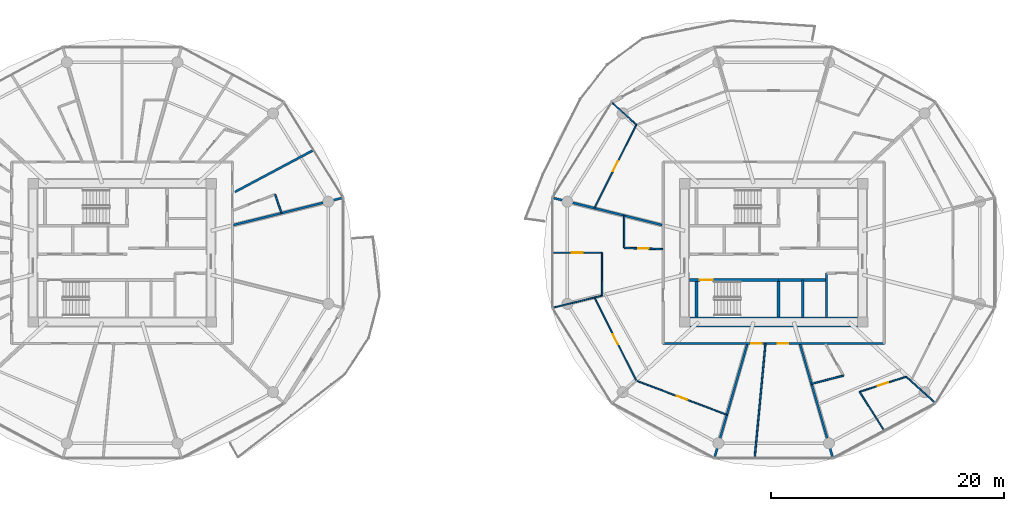
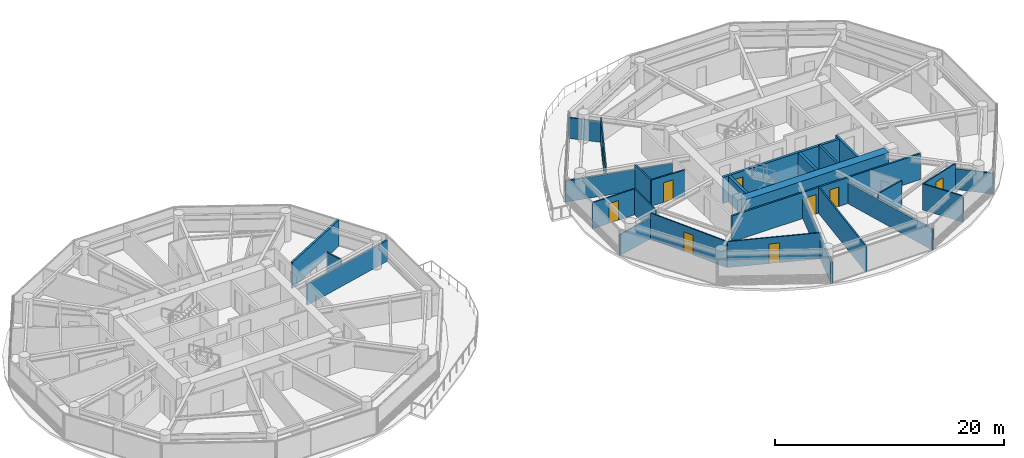
# One storey, part 18 of 26: 28 walls, 9 doors, 9 openings.
"""IFC4 building model written with IfcOpenShell, lengths in metres."""

from ifc_helpers import new_model, si_unit, direction, frame, frame_2d, origin, place, context, subcontext, project, spatial, rectangle, extrude, source, transform, mapped, material, layer, layer_set, type_object, type_shapes, element, fill, save


model = new_model("IFC4")

# Units and contexts
model_context = context("Model", 3, precision=1e-05, world=origin(), true_north=direction((0.0, 1.0)))
body_context = subcontext(model_context, "Body", "Model", "MODEL_VIEW")
ifc_project = project(units=[si_unit("LENGTHUNIT", "METRE"), si_unit("AREAUNIT", "SQUARE_METRE"), si_unit("VOLUMEUNIT", "CUBIC_METRE"), si_unit("PLANEANGLEUNIT", "RADIAN"), si_unit("MASSUNIT", "GRAM", prefix="KILO")], contexts=[model_context])

# Site, building, storey
site_placement = place(None, origin())
site = spatial("IfcSite", under=ifc_project, at=site_placement, CompositionType="ELEMENT")
building_placement = place(site_placement, origin())
building = spatial("IfcBuilding", under=site, at=building_placement, Name="Norrkilde Senior Care Towers", CompositionType="ELEMENT")
storey_placement = place(building_placement, frame((0.0, 0.0, 64.300048828125)))
storey = spatial("IfcBuildingStorey", under=building, at=storey_placement, Name="L19", CompositionType="ELEMENT", Elevation=64.300048828125)

# Walls
ifc_material_1 = material(Name="Concrete C60/75", Category="concrete")
ifc_layer_1 = layer(ifc_material_1, 0.85009765625)
ifc_layer_set_1 = layer_set([ifc_layer_1], Name="Concrete C60/75")
wall_type_1 = type_object("IfcWallType", Name="Core Shear Wall Z1 850", PredefinedType="SHEAR", material=ifc_layer_set_1)
shared_shape_1 = source(origin(), body_context, "Body", "SweptSolid", [
    extrude(rectangle(XDim=14.39990234375, YDim=0.85009765625, at=frame_2d((7.199951171875, 0.0))), origin(), (0.0, 0.0, 1.0), 2.7900390625),
])
type_shapes(wall_type_1, [shared_shape_1])
wall_1_placement = place(storey_placement, frame((35.199951171875, -5.949951171875, 0.0), z_axis=(0.0, 0.0, 1.0), x_axis=(-1.0, 0.0, 0.0)))
element("IfcWall", 1, at=wall_1_placement, inside=storey, type_object=wall_type_1, Name="L19 Core E South Shear Wall", PredefinedType="SHEAR", context=body_context, shape_type="MappedRepresentation", body=[
    mapped(shared_shape_1, transform((0.0, 0.0, 0.0), x_axis=(1.0, 0.0, 0.0), y_axis=(0.0, 1.0, 0.0), z_axis=(0.0, 0.0, 1.0), scale=1.0)),
])
ifc_material_2 = material(Name="Concrete C45/55", Category="concrete")
ifc_layer_2 = layer(ifc_material_2, 0.199951171875)
ifc_layer_set_2 = layer_set([ifc_layer_2], Name="Concrete C45/55")
wall_type_2 = type_object("IfcWallType", Name="Shaft Division and Plant Partition 200", PredefinedType="PARTITIONING", material=ifc_layer_set_2)
shared_shape_2 = source(origin(), body_context, "Body", "SweptSolid", [
    extrude(rectangle(XDim=3.800048828125, YDim=0.199951171875, at=frame_2d((1.89990234375, 0.0))), origin(), (0.0, 0.0, 1.0), 2.77490234375),
])
type_shapes(wall_type_2, [shared_shape_2])
wall_2_placement = place(storey_placement, frame((32.550048828125, -5.550048828125, 0.0), z_axis=(0.0, 0.0, 1.0), x_axis=(0.0, 1.0, 0.0)))
element("IfcWall", 2, at=wall_2_placement, inside=storey, type_object=wall_type_2, Name="WL-INT-L19-E-PKBE", PredefinedType="PARTITIONING", context=body_context, shape_type="MappedRepresentation", body=[
    mapped(shared_shape_2, transform((0.0, 0.0, 0.0), x_axis=(1.0, 0.0, 0.0), y_axis=(0.0, 1.0, 0.0), z_axis=(0.0, 0.0, 1.0), scale=1.0)),
])
ifc_layer_3 = layer(ifc_material_2, 0.239990234375)
ifc_layer_set_3 = layer_set([ifc_layer_3], Name="Concrete C45/55")
wall_type_3 = type_object("IfcWallType", Name="Lift and Plant Rated Enclosure Partition 240", PredefinedType="PARTITIONING", material=ifc_layer_set_3)
shared_shape_3 = source(origin(), body_context, "Body", "SweptSolid", [
    extrude(rectangle(XDim=4.130126953125, YDim=0.239990234375, at=frame_2d((2.06494140625, 0.0))), origin(), (0.0, 0.0, 1.0), 2.77490234375),
])
type_shapes(wall_type_3, [shared_shape_3])
wall_3_placement = place(storey_placement, frame((28.419921875, -2.330078125, 0.0), z_axis=(0.0, 0.0, 1.0), x_axis=(1.0, 0.0, 0.0)))
element("IfcWall", 3, at=wall_3_placement, inside=storey, type_object=wall_type_3, Name="WL-INT-L19-E-PKBN", PredefinedType="PARTITIONING", context=body_context, shape_type="MappedRepresentation", body=[
    mapped(shared_shape_3, transform((0.0, 0.0, 0.0), x_axis=(1.0, 0.0, 0.0), y_axis=(0.0, 1.0, 0.0), z_axis=(0.0, 0.0, 1.0), scale=1.0)),
])
ifc_layer_4 = layer(ifc_material_2, 0.179931640625)
ifc_layer_set_4 = layer_set([ifc_layer_4], Name="Concrete C45/55")
wall_type_4 = type_object("IfcWallType", Name="Hoistway Division Rated Partition 180", PredefinedType="PARTITIONING", material=ifc_layer_set_4)
shared_shape_4 = source(origin(), body_context, "Body", "SweptSolid", [
    extrude(rectangle(XDim=3.219970703125, YDim=0.179931640625, at=frame_2d((1.60986328125, 0.0))), origin(), (0.0, 0.0, 1.0), 2.77490234375),
])
type_shapes(wall_type_4, [shared_shape_4])
wall_4_placement = place(storey_placement, frame((30.5, -5.550048828125, 0.0), z_axis=(0.0, 0.0, 1.0), x_axis=(0.0, 1.0, 0.0)))
element("IfcWall", 4, at=wall_4_placement, inside=storey, type_object=wall_type_4, Name="WL-INT-L19-E-PL34", PredefinedType="PARTITIONING", context=body_context, shape_type="MappedRepresentation", body=[
    mapped(shared_shape_4, transform((0.0, 0.0, 0.0), x_axis=(1.0, 0.0, 0.0), y_axis=(0.0, 1.0, 0.0), z_axis=(0.0, 0.0, 1.0), scale=1.0)),
])

# Wall, openings, doors
ifc_material_3 = material(Name="Gypsum Acoustic Board")
ifc_layer_5 = layer(ifc_material_3, 0.1650390625)
ifc_layer_set_5 = layer_set([ifc_layer_5], Name="Gypsum Acoustic Board")
wall_type_5 = type_object("IfcWallType", Name="Corridor Rated Partition 165", PredefinedType="PARTITIONING", material=ifc_layer_set_5)
shared_shape_5 = source(origin(), body_context, "Body", "SweptSolid", [
    extrude(rectangle(XDim=19.0, YDim=0.1650390625, at=frame_2d((9.5, 0.0))), origin(), (0.0, 0.0, 1.0), 2.77490234375),
])
type_shapes(wall_type_5, [shared_shape_5])
wall_5_placement = place(storey_placement, frame((37.5, -7.800048828125, 0.0), z_axis=(0.0, 0.0, 1.0), x_axis=(-1.0, 0.0, 0.0)))
wall_5 = element("IfcWall", 5, at=wall_5_placement, inside=storey, type_object=wall_type_5, Name="WL-INT-L19-E-CRW-S-0", PredefinedType="PARTITIONING", context=body_context, shape_type="MappedRepresentation", body=[
    mapped(shared_shape_5, transform((0.0, 0.0, 0.0), x_axis=(1.0, 0.0, 0.0), y_axis=(0.0, 1.0, 0.0), z_axis=(0.0, 0.0, 1.0), scale=1.0)),
])
opening_1_placement = place(wall_5_placement, frame((10.523193359375, 0.0, 0.0)))
opening_1 = element("IfcOpeningElement", 6, at=opening_1_placement, cuts=wall_5, Name="Opening D-08", PredefinedType="OPENING", context=body_context, shape_type="SweptSolid", body=[
    extrude(rectangle(XDim=0.919921875, YDim=2.10009765625, at=frame_2d((0.4599609375, 1.050048828125))), frame((0.0, 0.092529296875, 0.0), z_axis=(0.0, -1.0, 0.0), x_axis=(1.0, 0.0, 0.0)), (0.0, 0.0, 1.0), 0.18505859375),
])
opening_2_placement = place(wall_5_placement, frame((8.2255859375, 0.0, 0.0)))
opening_2 = element("IfcOpeningElement", 7, at=opening_2_placement, cuts=wall_5, Name="Opening D-08", PredefinedType="OPENING", context=body_context, shape_type="SweptSolid", body=[
    extrude(rectangle(XDim=0.919921875, YDim=2.10009765625, at=frame_2d((0.4599609375, 1.050048828125))), frame((0.0, 0.092529296875, 0.0), z_axis=(0.0, -1.0, 0.0), x_axis=(1.0, 0.0, 0.0)), (0.0, 0.0, 1.0), 0.18505859375),
])
ifc_material_4 = material(Name="Nordic Ash Timber", Category="wood")
door_type_1 = type_object("IfcDoorType", Name="Accessible Wet Room Door 920x2100", OperationType="NOTDEFINED", PredefinedType="DOOR", material=ifc_material_4)
shared_shape_6 = source(origin(), body_context, "Body", "SweptSolid", [
    extrude(rectangle(XDim=0.919921875, YDim=2.10009765625, at=frame_2d((0.4599609375, 1.050048828125))), frame((0.0, 0.02490234375, 0.0), z_axis=(0.0, -1.0, 0.0), x_axis=(1.0, 0.0, 0.0)), (0.0, 0.0, 1.0), 0.050048828125),
])
type_shapes(door_type_1, [shared_shape_6])
door_1_placement = place(opening_1_placement, frame((0.919921875, 0.0, 0.0), z_axis=(0.0, 0.0, 1.0), x_axis=(-1.0, 0.0, 0.0)))
door_1 = element("IfcDoor", 8, at=door_1_placement, inside=storey, type_object=door_type_1, Name="L19 Accessible Restroom Door", OperationType="SINGLE_SWING_LEFT", OverallHeight=2.10009765625, OverallWidth=0.919921875, PredefinedType="DOOR", context=body_context, shape_type="MappedRepresentation", body=[
    mapped(shared_shape_6, transform((0.0, 0.0, 0.0), x_axis=(1.0, 0.0, 0.0), y_axis=(0.0, 1.0, 0.0), z_axis=(0.0, 0.0, 1.0), scale=1.0)),
])
fill(opening_1, door_1)
door_2_placement = place(opening_2_placement, frame((0.919921875, 0.0, 0.0), z_axis=(0.0, 0.0, 1.0), x_axis=(-1.0, 0.0, 0.0)))
door_2 = element("IfcDoor", 9, at=door_2_placement, inside=storey, type_object=door_type_1, Name="L19 Public Restroom Door", OperationType="SINGLE_SWING_RIGHT", OverallHeight=2.10009765625, OverallWidth=0.919921875, PredefinedType="DOOR", context=body_context, shape_type="MappedRepresentation", body=[
    mapped(shared_shape_6, transform((0.0, 0.0, 0.0), x_axis=(1.0, 0.0, 0.0), y_axis=(0.0, 1.0, 0.0), z_axis=(0.0, 0.0, 1.0), scale=1.0)),
])
fill(opening_2, door_2)

# Walls
ifc_layer_6 = layer(ifc_material_3, 0.18994140625)
ifc_layer_set_6 = layer_set([ifc_layer_6], Name="Gypsum Acoustic Board")
wall_type_6 = type_object("IfcWallType", Name="Unit Demising Acoustic Wall 190", PredefinedType="PARTITIONING", material=ifc_layer_set_6)
shared_shape_7 = source(origin(), body_context, "Body", "SweptSolid", [
    extrude(rectangle(XDim=10.196044921875, YDim=0.18994140625, at=frame_2d((5.09814453125, 0.0))), origin(), (0.0, 0.0, 1.0), 2.224853515625),
])
for number, where, z_axis, x_axis, name in (
    (10, (25.72705078125, -7.8798828125, 0.0), (0.0, 0.0, 1.0), (-0.277136420347, -0.960830580549, 0.0), "WL-INT-L19-E-DEM-08-0"),
    (11, (30.27294921875, -7.8798828125, 0.0), (0.0, 0.0, 1.0), (0.277136420347, -0.960830580549, 0.0), "WL-INT-L19-E-DEM-09-0"),
):
    element("IfcWall", number, at=place(storey_placement, frame(where, z_axis=z_axis, x_axis=x_axis)), inside=storey, type_object=wall_type_6, Name=name, PredefinedType="PARTITIONING", context=body_context, shape_type="MappedRepresentation", body=[
        mapped(shared_shape_7, transform((0.0, 0.0, 0.0), x_axis=(1.0, 0.0, 0.0), y_axis=(0.0, 1.0, 0.0), z_axis=(0.0, 0.0, 1.0), scale=1.0)),
    ])
shared_shape_8 = source(origin(), body_context, "Body", "SweptSolid", [
    extrude(rectangle(XDim=9.737060546875, YDim=0.18994140625, at=frame_2d((4.86865234375, 0.0))), origin(), (0.0, 0.0, 1.0), 2.224853515625),
])
for number, where, z_axis, x_axis, name in (
    (12, (-18.419921875, 2.384521484375, 0.0), (0.0, 0.0, 1.0), (0.970392716238, 0.241532557375, 0.0), "WL-INT-L19-W-DEM-00-0"),
    (13, (18.419921875, 2.384521484375, 0.0), (0.0, 0.0, 1.0), (-0.970392716238, 0.241532557375, 0.0), "WL-INT-L19-E-DEM-05-0"),
):
    element("IfcWall", number, at=place(storey_placement, frame(where, z_axis=z_axis, x_axis=x_axis)), inside=storey, type_object=wall_type_6, Name=name, PredefinedType="PARTITIONING", context=body_context, shape_type="MappedRepresentation", body=[
        mapped(shared_shape_8, transform((0.0, 0.0, 0.0), x_axis=(1.0, 0.0, 0.0), y_axis=(0.0, 1.0, 0.0), z_axis=(0.0, 0.0, 1.0), scale=1.0)),
    ])
shared_shape_9 = source(origin(), body_context, "Body", "SweptSolid", [
    extrude(rectangle(XDim=7.6767578125, YDim=0.18994140625, at=frame_2d((3.83837890625, 0.0))), origin(), (0.0, 0.0, 1.0), 2.77490234375),
])
type_shapes(wall_type_6, [shared_shape_7, shared_shape_8, shared_shape_9])
wall_6_placement = place(storey_placement, frame((-18.296875, 5.23095703125, 0.0), z_axis=(0.0, 0.0, 1.0), x_axis=(0.882725057546, 0.469889851753, 0.0)))
element("IfcWall", 14, at=wall_6_placement, inside=storey, type_object=wall_type_6, Name="WL-INT-L19-W-CMID-00", PredefinedType="PARTITIONING", context=body_context, shape_type="MappedRepresentation", body=[
    mapped(shared_shape_9, transform((0.0, 0.0, 0.0), x_axis=(1.0, 0.0, 0.0), y_axis=(0.0, 1.0, 0.0), z_axis=(0.0, 0.0, 1.0), scale=1.0)),
])
ifc_layer_7 = layer(ifc_material_3, 0.139892578125)
ifc_layer_set_7 = layer_set([ifc_layer_7], Name="Gypsum Acoustic Board")
wall_type_7 = type_object("IfcWallType", Name="En-suite Wet Room Wall 140", PredefinedType="PARTITIONING", material=ifc_layer_set_7)
shared_shape_10 = source(origin(), body_context, "Body", "SweptSolid", [
    extrude(rectangle(XDim=1.67578125, YDim=0.139892578125, at=frame_2d((0.837890625, 0.0))), origin(), (0.0, 0.0, 1.0), 2.77490234375),
])
wall_7_placement = place(storey_placement, frame((-14.849853515625, 5.010986328125, 0.0), z_axis=(0.0, 0.0, 1.0), x_axis=(0.327785970556, -0.944752008469, 0.0)))
element("IfcWall", 15, at=wall_7_placement, inside=storey, type_object=wall_type_7, Name="WL-INT-L19-W-EF-00A", PredefinedType="PARTITIONING", context=body_context, shape_type="MappedRepresentation", body=[
    mapped(shared_shape_10, transform((0.0, 0.0, 0.0), x_axis=(1.0, 0.0, 0.0), y_axis=(0.0, 1.0, 0.0), z_axis=(0.0, 0.0, 1.0), scale=1.0)),
])

# Wall, opening, door
ifc_layer_8 = layer(ifc_material_3, 0.114990234375)
ifc_layer_set_8 = layer_set([ifc_layer_8], Name="Gypsum Acoustic Board")
wall_type_8 = type_object("IfcWallType", Name="Internal Room Partition 115", PredefinedType="PARTITIONING", material=ifc_layer_set_8)
shared_shape_11 = source(origin(), body_context, "Body", "SweptSolid", [
    extrude(rectangle(XDim=8.017822265625, YDim=0.114990234375, at=frame_2d((4.0087890625, 0.0))), origin(), (0.0, 0.0, 1.0), 2.77490234375),
])
wall_8_placement = place(storey_placement, frame((12.595947265625, -3.854248046875, 0.0), z_axis=(0.0, 0.0, 1.0), x_axis=(0.450134355233, -0.89296084026, 0.0)))
wall_8 = element("IfcWall", 16, at=wall_8_placement, inside=storey, type_object=wall_type_8, Name="WL-INT-L19-E-UBC-05-1", PredefinedType="PARTITIONING", context=body_context, shape_type="MappedRepresentation", body=[
    mapped(shared_shape_11, transform((0.0, 0.0, 0.0), x_axis=(1.0, 0.0, 0.0), y_axis=(0.0, 1.0, 0.0), z_axis=(0.0, 0.0, 1.0), scale=1.0)),
])
opening_3_placement = place(wall_8_placement, frame((3.533935546875, 0.0, 0.0)))
opening_3 = element("IfcOpeningElement", 17, at=opening_3_placement, cuts=wall_8, Name="Opening D-07", PredefinedType="OPENING", context=body_context, shape_type="SweptSolid", body=[
    extrude(rectangle(XDim=0.949951171875, YDim=2.10009765625, at=frame_2d((0.47509765625, 1.050048828125))), frame((0.0, 0.0673828125, 0.0), z_axis=(0.0, -1.0, 0.0), x_axis=(1.0, 0.0, 0.0)), (0.0, 0.0, 1.0), 0.135009765625),
])
door_type_2 = type_object("IfcDoorType", Name="Internal Suite Bedroom Door 950x2100", OperationType="NOTDEFINED", PredefinedType="DOOR", material=ifc_material_4)
shared_shape_12 = source(origin(), body_context, "Body", "SweptSolid", [
    extrude(rectangle(XDim=0.949951171875, YDim=2.10009765625, at=frame_2d((0.47509765625, 1.050048828125))), frame((0.0, 0.02490234375, 0.0), z_axis=(0.0, -1.0, 0.0), x_axis=(1.0, 0.0, 0.0)), (0.0, 0.0, 1.0), 0.050048828125),
])
type_shapes(door_type_2, [shared_shape_12])
door_3_placement = place(opening_3_placement, origin())
door_3 = element("IfcDoor", 18, at=door_3_placement, inside=storey, type_object=door_type_2, Name="Apartment 19A Bedroom 1 Door", OperationType="SINGLE_SWING_LEFT", OverallHeight=2.10009765625, OverallWidth=0.949951171875, PredefinedType="DOOR", context=body_context, shape_type="MappedRepresentation", body=[
    mapped(shared_shape_12, transform((0.0, 0.0, 0.0), x_axis=(1.0, 0.0, 0.0), y_axis=(0.0, 1.0, 0.0), z_axis=(0.0, 0.0, 1.0), scale=1.0)),
])
fill(opening_3, door_3)

wall_9_placement = place(storey_placement, frame((16.205078125, 11.013916015625, 0.0), z_axis=(0.0, 0.0, 1.0), x_axis=(-0.450134355233, -0.89296084026, 0.0)))
wall_9 = element("IfcWall", 19, at=wall_9_placement, inside=storey, type_object=wall_type_8, Name="WL-INT-L19-E-UBC-01-3", PredefinedType="PARTITIONING", context=body_context, shape_type="MappedRepresentation", body=[
    mapped(shared_shape_11, transform((0.0, 0.0, 0.0), x_axis=(1.0, 0.0, 0.0), y_axis=(0.0, 1.0, 0.0), z_axis=(0.0, 0.0, 1.0), scale=1.0)),
])
opening_4_placement = place(wall_9_placement, frame((3.533935546875, 0.0, 0.0)))
opening_4 = element("IfcOpeningElement", 20, at=opening_4_placement, cuts=wall_9, Name="Opening D-07", PredefinedType="OPENING", context=body_context, shape_type="SweptSolid", body=[
    extrude(rectangle(XDim=0.949951171875, YDim=2.10009765625, at=frame_2d((0.47509765625, 1.050048828125))), frame((0.0, 0.0673828125, 0.0), z_axis=(0.0, -1.0, 0.0), x_axis=(1.0, 0.0, 0.0)), (0.0, 0.0, 1.0), 0.135009765625),
])
door_4_placement = place(opening_4_placement, origin())
door_4 = element("IfcDoor", 21, at=door_4_placement, inside=storey, type_object=door_type_2, Name="Apartment 19D Bedroom 3 Door", OperationType="SINGLE_SWING_LEFT", OverallHeight=2.10009765625, OverallWidth=0.949951171875, PredefinedType="DOOR", context=body_context, shape_type="MappedRepresentation", body=[
    mapped(shared_shape_12, transform((0.0, 0.0, 0.0), x_axis=(1.0, 0.0, 0.0), y_axis=(0.0, 1.0, 0.0), z_axis=(0.0, 0.0, 1.0), scale=1.0)),
])
fill(opening_4, door_4)

# Wall
shared_shape_13 = source(origin(), body_context, "Body", "SweptSolid", [
    extrude(rectangle(XDim=2.8681640625, YDim=0.139892578125, at=frame_2d((1.43408203125, 0.0))), origin(), (0.0, 0.0, 1.0), 2.77490234375),
])
wall_10_placement = place(storey_placement, frame((34.012939453125, -10.5595703125, 0.0), z_axis=(0.0, 0.0, 1.0), x_axis=(-0.968467705195, -0.249139125778, 0.0)))
element("IfcWall", 22, at=wall_10_placement, inside=storey, type_object=wall_type_7, Name="WL-INT-L19-E-UBTF-09", PredefinedType="PARTITIONING", context=body_context, shape_type="MappedRepresentation", body=[
    mapped(shared_shape_13, transform((0.0, 0.0, 0.0), x_axis=(1.0, 0.0, 0.0), y_axis=(0.0, 1.0, 0.0), z_axis=(0.0, 0.0, 1.0), scale=1.0)),
])

# Wall, opening, door
shared_shape_14 = source(origin(), body_context, "Body", "SweptSolid", [
    extrude(rectangle(XDim=8.31982421875, YDim=0.114990234375, at=frame_2d((4.159912109375, 0.0))), origin(), (0.0, 0.0, 1.0), 2.77490234375),
])
wall_11_placement = place(storey_placement, frame((16.2138671875, -11.005615234375, 0.0), z_axis=(0.0, 0.0, 1.0), x_axis=(0.936180763098, -0.351518959382, 0.0)))
wall_11 = element("IfcWall", 23, at=wall_11_placement, inside=storey, type_object=wall_type_8, Name="WL-INT-L19-E-UBC-05-2", PredefinedType="PARTITIONING", context=body_context, shape_type="MappedRepresentation", body=[
    mapped(shared_shape_14, transform((0.0, 0.0, 0.0), x_axis=(1.0, 0.0, 0.0), y_axis=(0.0, 1.0, 0.0), z_axis=(0.0, 0.0, 1.0), scale=1.0)),
])
opening_5_placement = place(wall_11_placement, frame((3.684814453125, 0.0, 0.0)))
opening_5 = element("IfcOpeningElement", 24, at=opening_5_placement, cuts=wall_11, Name="Opening D-07", PredefinedType="OPENING", context=body_context, shape_type="SweptSolid", body=[
    extrude(rectangle(XDim=0.949951171875, YDim=2.10009765625, at=frame_2d((0.47509765625, 1.050048828125))), frame((0.0, 0.0673828125, 0.0), z_axis=(0.0, -1.0, 0.0), x_axis=(1.0, 0.0, 0.0)), (0.0, 0.0, 1.0), 0.135009765625),
])
door_5_placement = place(opening_5_placement, frame((0.949951171875, 0.0, 0.0), z_axis=(0.0, 0.0, 1.0), x_axis=(-1.0, 0.0, 0.0)))
door_5 = element("IfcDoor", 25, at=door_5_placement, inside=storey, type_object=door_type_2, Name="Apartment 19A Bedroom 2 Door", OperationType="SINGLE_SWING_RIGHT", OverallHeight=2.10009765625, OverallWidth=0.949951171875, PredefinedType="DOOR", context=body_context, shape_type="MappedRepresentation", body=[
    mapped(shared_shape_12, transform((0.0, 0.0, 0.0), x_axis=(1.0, 0.0, 0.0), y_axis=(0.0, 1.0, 0.0), z_axis=(0.0, 0.0, 1.0), scale=1.0)),
])
fill(opening_5, door_5)

shared_shape_15 = source(origin(), body_context, "Body", "SweptSolid", [
    extrude(rectangle(XDim=3.323486328125, YDim=0.139892578125, at=frame_2d((1.66162109375, 0.0))), origin(), (0.0, 0.0, 1.0), 2.77490234375),
])
wall_12_placement = place(storey_placement, frame((18.469970703125, 0.310791015625, 0.0), z_axis=(0.0, 0.0, 1.0), x_axis=(-0.999467979553, 0.032615300817, 0.0)))
wall_12 = element("IfcWall", 26, at=wall_12_placement, inside=storey, type_object=wall_type_7, Name="WL-INT-L19-E-UBTS-05", PredefinedType="PARTITIONING", context=body_context, shape_type="MappedRepresentation", body=[
    mapped(shared_shape_15, transform((0.0, 0.0, 0.0), x_axis=(1.0, 0.0, 0.0), y_axis=(0.0, 1.0, 0.0), z_axis=(0.0, 0.0, 1.0), scale=1.0)),
])
opening_6_placement = place(wall_12_placement, frame((1.201904296875, 0.0, 0.0)))
opening_6 = element("IfcOpeningElement", 27, at=opening_6_placement, cuts=wall_12, Name="Opening D-08", PredefinedType="OPENING", context=body_context, shape_type="SweptSolid", body=[
    extrude(rectangle(XDim=0.919921875, YDim=2.10009765625, at=frame_2d((0.4599609375, 1.050048828125))), frame((0.0, 0.079833984375, 0.0), z_axis=(0.0, -1.0, 0.0), x_axis=(1.0, 0.0, 0.0)), (0.0, 0.0, 1.0), 0.159912109375),
])
door_6_placement = place(opening_6_placement, origin())
door_6 = element("IfcDoor", 28, at=door_6_placement, inside=storey, type_object=door_type_1, Name="Apartment 19A Bathroom Door", OperationType="SINGLE_SWING_LEFT", OverallHeight=2.10009765625, OverallWidth=0.919921875, PredefinedType="DOOR", context=body_context, shape_type="MappedRepresentation", body=[
    mapped(shared_shape_6, transform((0.0, 0.0, 0.0), x_axis=(1.0, 0.0, 0.0), y_axis=(0.0, 1.0, 0.0), z_axis=(0.0, 0.0, 1.0), scale=1.0)),
])
fill(opening_6, door_6)

# Wall
shared_shape_16 = source(origin(), body_context, "Body", "SweptSolid", [
    extrude(rectangle(XDim=2.795166015625, YDim=0.139892578125, at=frame_2d((1.3974609375, 0.0))), origin(), (0.0, 0.0, 1.0), 2.77490234375),
])
wall_13_placement = place(storey_placement, frame((15.148193359375, 0.419189453125, 0.0), z_axis=(0.0, 0.0, 1.0), x_axis=(0.001659531299, 0.999998622977, 0.0)))
element("IfcWall", 29, at=wall_13_placement, inside=storey, type_object=wall_type_7, Name="WL-INT-L19-E-UBTF-05", PredefinedType="PARTITIONING", context=body_context, shape_type="MappedRepresentation", body=[
    mapped(shared_shape_16, transform((0.0, 0.0, 0.0), x_axis=(1.0, 0.0, 0.0), y_axis=(0.0, 1.0, 0.0), z_axis=(0.0, 0.0, 1.0), scale=1.0)),
])

# Wall, opening, door
ifc_layer_9 = layer(ifc_material_2, 0.239990234375)
ifc_layer_set_9 = layer_set([ifc_layer_9], Name="Concrete C45/55")
wall_type_9 = type_object("IfcWallType", Name="Shaft and Stair Enclosure Wall 240", PredefinedType="PARTITIONING", material=ifc_layer_set_9)
shared_shape_17 = source(origin(), body_context, "Body", "SweptSolid", [
    extrude(rectangle(XDim=7.76513671875, YDim=0.239990234375, at=frame_2d((3.882568359375, 0.0))), origin(), (0.0, 0.0, 1.0), 2.7900390625),
])
wall_14_placement = place(storey_placement, frame((20.77490234375, -2.330078125, 0.0), z_axis=(0.0, 0.0, 1.0), x_axis=(1.0, 0.0, 0.0)))
wall_14 = element("IfcWall", 30, at=wall_14_placement, inside=storey, type_object=wall_type_9, Name="WL-INT-L19-E-ST2N", PredefinedType="PARTITIONING", context=body_context, shape_type="MappedRepresentation", body=[
    mapped(shared_shape_17, transform((0.0, 0.0, 0.0), x_axis=(1.0, 0.0, 0.0), y_axis=(0.0, 1.0, 0.0), z_axis=(0.0, 0.0, 1.0), scale=1.0)),
])
opening_7_placement = place(wall_14_placement, frame((0.885009765625, 0.0, 0.0)))
opening_7 = element("IfcOpeningElement", 31, at=opening_7_placement, cuts=wall_14, Name="Opening D-03", PredefinedType="OPENING", context=body_context, shape_type="SweptSolid", body=[
    extrude(rectangle(XDim=1.10009765625, YDim=2.14990234375, at=frame_2d((0.550048828125, 1.074951171875))), frame((0.0, 0.1298828125, 0.0), z_axis=(0.0, -1.0, 0.0), x_axis=(1.0, 0.0, 0.0)), (0.0, 0.0, 1.0), 0.260009765625),
])
ifc_material_5 = material(Name="Galvanised Painted Steel", Category="steel")
door_type_3 = type_object("IfcDoorType", Name="Stairwell Protected Fire Door 1100x2150", OperationType="NOTDEFINED", PredefinedType="DOOR", material=ifc_material_5)
shared_shape_18 = source(origin(), body_context, "Body", "SweptSolid", [
    extrude(rectangle(XDim=1.10009765625, YDim=2.14990234375, at=frame_2d((0.550048828125, 1.074951171875))), frame((0.0, 0.02490234375, 0.0), z_axis=(0.0, -1.0, 0.0), x_axis=(1.0, 0.0, 0.0)), (0.0, 0.0, 1.0), 0.050048828125),
])
type_shapes(door_type_3, [shared_shape_18])
door_7_placement = place(opening_7_placement, frame((1.10009765625, 0.0, 0.0), z_axis=(0.0, 0.0, 1.0), x_axis=(-1.0, 0.0, 0.0)))
door_7 = element("IfcDoor", 32, at=door_7_placement, inside=storey, type_object=door_type_3, Name="L19 Stair E2 Fire Door", OperationType="SINGLE_SWING_RIGHT", OverallHeight=2.14990234375, OverallWidth=1.10009765625, PredefinedType="DOOR", context=body_context, shape_type="MappedRepresentation", body=[
    mapped(shared_shape_18, transform((0.0, 0.0, 0.0), x_axis=(1.0, 0.0, 0.0), y_axis=(0.0, 1.0, 0.0), z_axis=(0.0, 0.0, 1.0), scale=1.0)),
])
fill(opening_7, door_7)

# Walls
shared_shape_19 = source(origin(), body_context, "Body", "SweptSolid", [
    extrude(rectangle(XDim=3.074951171875, YDim=0.239990234375, at=frame_2d((1.53759765625, 0.0))), origin(), (0.0, 0.0, 1.0), 2.7900390625),
])
type_shapes(wall_type_9, [shared_shape_17, shared_shape_19])
for number, where, z_axis, x_axis, name in (
    (33, (21.3798828125, -5.52490234375, 0.0), (0.0, 0.0, 1.0), (0.0, 1.0, 0.0), "WL-INT-L19-E-ST2W"),
    (34, (28.419921875, -5.52490234375, 0.0), (0.0, 0.0, 1.0), (0.0, 1.0, 0.0), "WL-INT-L19-E-ST2E"),
):
    element("IfcWall", number, at=place(storey_placement, frame(where, z_axis=z_axis, x_axis=x_axis)), inside=storey, type_object=wall_type_9, Name=name, PredefinedType="PARTITIONING", context=body_context, shape_type="MappedRepresentation", body=[
        mapped(shared_shape_19, transform((0.0, 0.0, 0.0), x_axis=(1.0, 0.0, 0.0), y_axis=(0.0, 1.0, 0.0), z_axis=(0.0, 0.0, 1.0), scale=1.0)),
    ])
shared_shape_20 = source(origin(), body_context, "Body", "SweptSolid", [
    extrude(rectangle(XDim=9.89013671875, YDim=0.139892578125, at=frame_2d((4.945068359375, 0.0))), origin(), (0.0, 0.0, 1.0), 2.77490234375),
])
type_shapes(wall_type_7, [shared_shape_10, shared_shape_13, shared_shape_15, shared_shape_16, shared_shape_20])
wall_15_placement = place(storey_placement, frame((27.2958984375, -7.830078125, 0.0), z_axis=(0.0, 0.0, 1.0), x_axis=(-0.093780403478, -0.995592906726, 0.0)))
element("IfcWall", 35, at=wall_15_placement, inside=storey, type_object=wall_type_7, Name="WL-INT-L19-E-MID-08", PredefinedType="PARTITIONING", context=body_context, shape_type="MappedRepresentation", body=[
    mapped(shared_shape_20, transform((0.0, 0.0, 0.0), x_axis=(1.0, 0.0, 0.0), y_axis=(0.0, 1.0, 0.0), z_axis=(0.0, 0.0, 1.0), scale=1.0)),
])

# Wall, opening, door
shared_shape_21 = source(origin(), body_context, "Body", "SweptSolid", [
    extrude(rectangle(XDim=4.27880859375, YDim=0.114990234375, at=frame_2d((2.139404296875, 0.0))), origin(), (0.0, 0.0, 1.0), 2.77490234375),
])
wall_16_placement = place(storey_placement, frame((13.25, 0.0, 0.0), z_axis=(0.0, 0.0, 1.0), x_axis=(-1.0, 0.0, 0.0)))
wall_16 = element("IfcWall", 36, at=wall_16_placement, inside=storey, type_object=wall_type_8, Name="WL-INT-L19-E-UKTS-05", PredefinedType="PARTITIONING", context=body_context, shape_type="MappedRepresentation", body=[
    mapped(shared_shape_21, transform((0.0, 0.0, 0.0), x_axis=(1.0, 0.0, 0.0), y_axis=(0.0, 1.0, 0.0), z_axis=(0.0, 0.0, 1.0), scale=1.0)),
])
opening_8_placement = place(wall_16_placement, frame((1.664306640625, 0.0, 0.0)))
opening_8 = element("IfcOpeningElement", 37, at=opening_8_placement, cuts=wall_16, Name="Opening D-07", PredefinedType="OPENING", context=body_context, shape_type="SweptSolid", body=[
    extrude(rectangle(XDim=0.949951171875, YDim=2.10009765625, at=frame_2d((0.47509765625, 1.050048828125))), frame((0.0, 0.0673828125, 0.0), z_axis=(0.0, -1.0, 0.0), x_axis=(1.0, 0.0, 0.0)), (0.0, 0.0, 1.0), 0.135009765625),
])
door_8_placement = place(opening_8_placement, frame((0.949951171875, 0.0, 0.0), z_axis=(0.0, 0.0, 1.0), x_axis=(-1.0, 0.0, 0.0)))
door_8 = element("IfcDoor", 38, at=door_8_placement, inside=storey, type_object=door_type_2, Name="Apartment 19A Kitchen Door", OperationType="SINGLE_SWING_RIGHT", OverallHeight=2.10009765625, OverallWidth=0.949951171875, PredefinedType="DOOR", context=body_context, shape_type="MappedRepresentation", body=[
    mapped(shared_shape_12, transform((0.0, 0.0, 0.0), x_axis=(1.0, 0.0, 0.0), y_axis=(0.0, 1.0, 0.0), z_axis=(0.0, 0.0, 1.0), scale=1.0)),
])
fill(opening_8, door_8)

# Walls
shared_shape_22 = source(origin(), body_context, "Body", "SweptSolid", [
    extrude(rectangle(XDim=3.688720703125, YDim=0.114990234375, at=frame_2d((1.84423828125, 0.0))), origin(), (0.0, 0.0, 1.0), 2.77490234375),
])
wall_17_placement = place(storey_placement, frame((13.25, 0.0, 0.0), z_axis=(0.0, 0.0, 1.0), x_axis=(0.001919382261, -0.999998157984, 0.0)))
element("IfcWall", 39, at=wall_17_placement, inside=storey, type_object=wall_type_8, Name="WL-INT-L19-E-UKTF-05", PredefinedType="PARTITIONING", context=body_context, shape_type="MappedRepresentation", body=[
    mapped(shared_shape_22, transform((0.0, 0.0, 0.0), x_axis=(1.0, 0.0, 0.0), y_axis=(0.0, 1.0, 0.0), z_axis=(0.0, 0.0, 1.0), scale=1.0)),
])
shared_shape_23 = source(origin(), body_context, "Body", "SweptSolid", [
    extrude(rectangle(XDim=3.974365234375, YDim=0.114990234375, at=frame_2d((1.9873046875, 0.0))), origin(), (0.0, 0.0, 1.0), 2.77490234375),
])
wall_18_placement = place(storey_placement, frame((35.388916015625, -11.9501953125, 0.0), z_axis=(0.0, 0.0, 1.0), x_axis=(0.534810918023, -0.844971764003, 0.0)))
element("IfcWall", 40, at=wall_18_placement, inside=storey, type_object=wall_type_8, Name="WL-INT-L19-E-UKTS-09", PredefinedType="PARTITIONING", context=body_context, shape_type="MappedRepresentation", body=[
    mapped(shared_shape_23, transform((0.0, 0.0, 0.0), x_axis=(1.0, 0.0, 0.0), y_axis=(0.0, 1.0, 0.0), z_axis=(0.0, 0.0, 1.0), scale=1.0)),
])
shared_shape_24 = source(origin(), body_context, "Body", "SweptSolid", [
    extrude(rectangle(XDim=4.4140625, YDim=0.114990234375, at=frame_2d((2.20703125, 0.0))), origin(), (0.0, 0.0, 1.0), 2.224853515625),
])
wall_19_placement = place(storey_placement, frame((13.259033203125, -3.688232421875, 0.0), z_axis=(0.0, 0.0, 1.0), x_axis=(-0.971401274504, -0.237443812073, 0.0)))
element("IfcWall", 41, at=wall_19_placement, inside=storey, type_object=wall_type_8, Name="WL-INT-L19-E-UBR-05-1", PredefinedType="PARTITIONING", context=body_context, shape_type="MappedRepresentation", body=[
    mapped(shared_shape_24, transform((0.0, 0.0, 0.0), x_axis=(1.0, 0.0, 0.0), y_axis=(0.0, 1.0, 0.0), z_axis=(0.0, 0.0, 1.0), scale=1.0)),
])

# Wall, opening, door
shared_shape_25 = source(origin(), body_context, "Body", "SweptSolid", [
    extrude(rectangle(XDim=4.2197265625, YDim=0.114990234375, at=frame_2d((2.10986328125, 0.0))), origin(), (0.0, 0.0, 1.0), 2.77490234375),
])
wall_20_placement = place(storey_placement, frame((35.388916015625, -11.9501953125, 0.0), z_axis=(0.0, 0.0, 1.0), x_axis=(0.951130539873, 0.308789080315, 0.0)))
wall_20 = element("IfcWall", 42, at=wall_20_placement, inside=storey, type_object=wall_type_8, Name="WL-INT-L19-E-UKTF-09", PredefinedType="PARTITIONING", context=body_context, shape_type="MappedRepresentation", body=[
    mapped(shared_shape_25, transform((0.0, 0.0, 0.0), x_axis=(1.0, 0.0, 0.0), y_axis=(0.0, 1.0, 0.0), z_axis=(0.0, 0.0, 1.0), scale=1.0)),
])
opening_9_placement = place(wall_20_placement, frame((1.635009765625, 0.0, 0.0)))
opening_9 = element("IfcOpeningElement", 43, at=opening_9_placement, cuts=wall_20, Name="Opening D-07", PredefinedType="OPENING", context=body_context, shape_type="SweptSolid", body=[
    extrude(rectangle(XDim=0.949951171875, YDim=2.10009765625, at=frame_2d((0.47509765625, 1.050048828125))), frame((0.0, 0.0673828125, 0.0), z_axis=(0.0, -1.0, 0.0), x_axis=(1.0, 0.0, 0.0)), (0.0, 0.0, 1.0), 0.135009765625),
])
door_9_placement = place(opening_9_placement, frame((0.949951171875, 0.0, 0.0), z_axis=(0.0, 0.0, 1.0), x_axis=(-1.0, 0.0, 0.0)))
door_9 = element("IfcDoor", 44, at=door_9_placement, inside=storey, type_object=door_type_2, Name="Apartment 19C Kitchen Door", OperationType="SINGLE_SWING_RIGHT", OverallHeight=2.10009765625, OverallWidth=0.949951171875, PredefinedType="DOOR", context=body_context, shape_type="MappedRepresentation", body=[
    mapped(shared_shape_12, transform((0.0, 0.0, 0.0), x_axis=(1.0, 0.0, 0.0), y_axis=(0.0, 1.0, 0.0), z_axis=(0.0, 0.0, 1.0), scale=1.0)),
])
fill(opening_9, door_9)

# Walls
shared_shape_26 = source(origin(), body_context, "Body", "SweptSolid", [
    extrude(rectangle(XDim=3.400390625, YDim=0.114990234375, at=frame_2d((1.7001953125, 0.0))), origin(), (0.0, 0.0, 1.0), 2.224853515625),
])
wall_21_placement = place(storey_placement, frame((39.4111328125, -10.655517578125, 0.0), z_axis=(0.0, 0.0, 1.0), x_axis=(0.740729005272, -0.671803945172, 0.0)))
element("IfcWall", 45, at=wall_21_placement, inside=storey, type_object=wall_type_8, Name="WL-INT-L19-E-UBR-09-1", PredefinedType="PARTITIONING", context=body_context, shape_type="MappedRepresentation", body=[
    mapped(shared_shape_26, transform((0.0, 0.0, 0.0), x_axis=(1.0, 0.0, 0.0), y_axis=(0.0, 1.0, 0.0), z_axis=(0.0, 0.0, 1.0), scale=1.0)),
])
shared_shape_27 = source(origin(), body_context, "Body", "SweptSolid", [
    extrude(rectangle(XDim=2.87548828125, YDim=0.114990234375, at=frame_2d((1.437744140625, 0.0))), origin(), (0.0, 0.0, 1.0), 2.224853515625),
])
type_shapes(wall_type_8, [shared_shape_11, shared_shape_14, shared_shape_21, shared_shape_22, shared_shape_23, shared_shape_24, shared_shape_25, shared_shape_26, shared_shape_27])
wall_22_placement = place(storey_placement, frame((16.205078125, 11.013916015625, 0.0), z_axis=(0.0, 0.0, 1.0), x_axis=(-0.742512588127, 0.669832110661, 0.0)))
element("IfcWall", 46, at=wall_22_placement, inside=storey, type_object=wall_type_8, Name="WL-INT-L19-E-UBR-01-3", PredefinedType="PARTITIONING", context=body_context, shape_type="MappedRepresentation", body=[
    mapped(shared_shape_27, transform((0.0, 0.0, 0.0), x_axis=(1.0, 0.0, 0.0), y_axis=(0.0, 1.0, 0.0), z_axis=(0.0, 0.0, 1.0), scale=1.0)),
])

save(model, "model.ifc")
